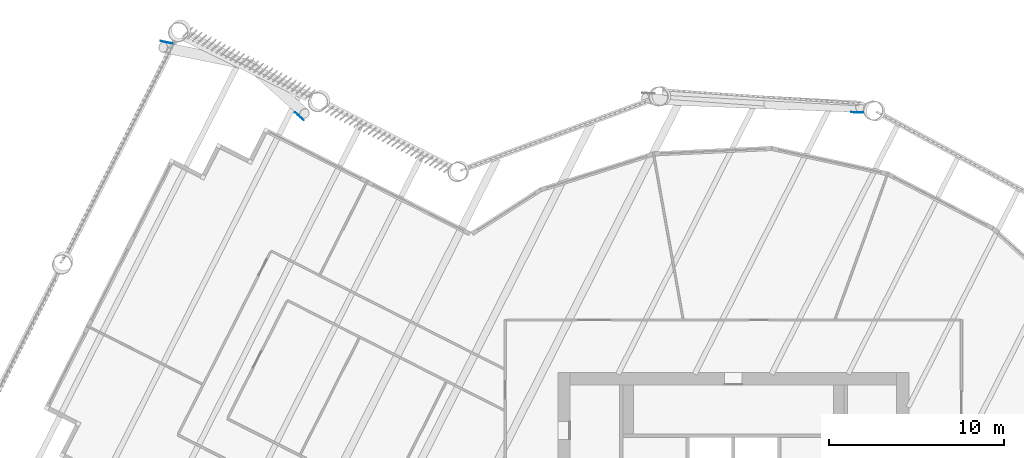
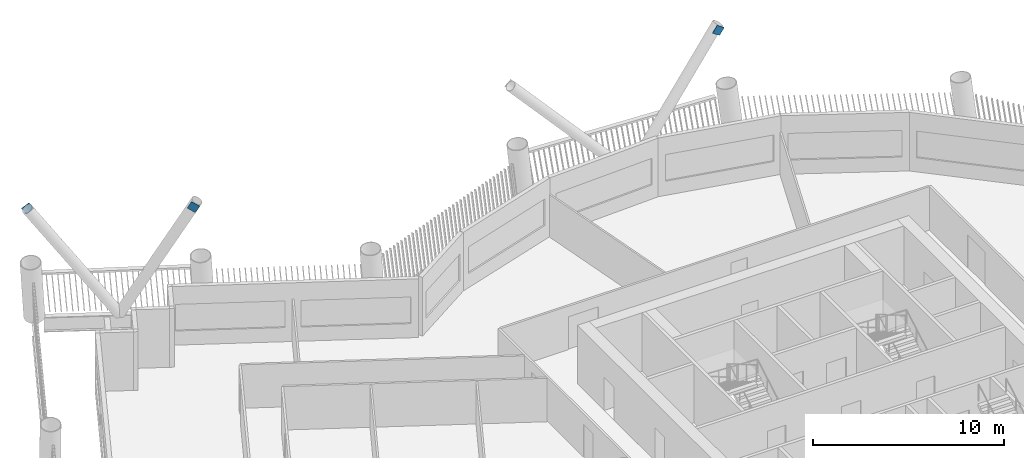
# One storey, part 13 of 21: 3 discrete accessories.
"""IFC4 building model written with IfcOpenShell, lengths in metres."""

from ifc_helpers import new_model, si_unit, direction, frame, origin, origin_2d, place, context, subcontext, project, spatial, rectangle, extrude, material, material_profile, profile_set, type_object, element, save


model = new_model("IFC4")

# Units and contexts
model_context = context("Model", 3, precision=1e-05, world=origin(), true_north=direction((0.0, 1.0)))
body_context = subcontext(model_context, "Body", "Model", "MODEL_VIEW")
ifc_project = project(units=[si_unit("LENGTHUNIT", "METRE"), si_unit("AREAUNIT", "SQUARE_METRE"), si_unit("VOLUMEUNIT", "CUBIC_METRE"), si_unit("PLANEANGLEUNIT", "RADIAN"), si_unit("MASSUNIT", "GRAM", prefix="KILO")], contexts=[model_context])

# Site, building, storey
site_placement = place(None, origin())
site = spatial("IfcSite", under=ifc_project, at=site_placement, CompositionType="ELEMENT")
building_placement = place(site_placement, origin())
building = spatial("IfcBuilding", under=site, at=building_placement, Name="Tarsis Ring Headquarters", CompositionType="ELEMENT")
storey_placement = place(building_placement, frame((0.0, 0.0, 171.0)))
storey = spatial("IfcBuildingStorey", under=building, at=storey_placement, Name="L39", CompositionType="ELEMENT", Elevation=171.0)

# Discrete accessories
ifc_material = material(Name="Structural steel S355", Category="steel")
ifc_material_profile = material_profile(ifc_material, rectangle(XDim=0.02490234375, YDim=0.5, at=origin_2d()), Name="PL 25x500")
ifc_profile_set = profile_set([ifc_material_profile], Name="Structural steel S355")
discrete_accessory_type = type_object("IfcDiscreteAccessoryType", Name="Gusset plate Exo brace 25", PredefinedType="BRACKET", material=ifc_profile_set)
discrete_accessory_placement = place(storey_placement, frame((7.200439453125, 27.822021484375, 7.800048828125), z_axis=(-0.55661554385, 0.020018629209, -0.830528982534), x_axis=(-0.035941674965, -0.999353889271, 0.0)))
element("IfcDiscreteAccessory", 1, at=discrete_accessory_placement, inside=storey, type_object=discrete_accessory_type, Name="Gusset plate GP5", PredefinedType="BRACKET", context=body_context, shape_type="SweptSolid", body=[
    extrude(rectangle(XDim=0.02490234375, YDim=0.5, at=origin_2d()), origin(), (0.0, 0.0, 1.0), 0.5),
])
for number, where, z_axis, x_axis, name in (
    (2, (-32.439453125, 31.846435546875, 7.800048828125), (0.534911315577, -0.107860767101, -0.837995190552), (0.197663902525, 0.980269851438, 0.0), "Gusset plate GP5"),
    (3, (-24.649658203125, 27.5283203125, 7.800048828125), (-0.349484536872, 0.313364626636, -0.882985373186), (-0.667584771819, -0.744533795362, 0.0), "Gusset plate GP5"),
):
    element("IfcDiscreteAccessory", number, at=place(storey_placement, frame(where, z_axis=z_axis, x_axis=x_axis)), inside=storey, type_object=discrete_accessory_type, Name=name, PredefinedType="BRACKET", context=body_context, shape_type="SweptSolid", body=[
        extrude(rectangle(XDim=0.02490234375, YDim=0.5, at=origin_2d()), origin(), (0.0, 0.0, 1.0), 0.500244140625),
    ])

save(model, "model.ifc")
